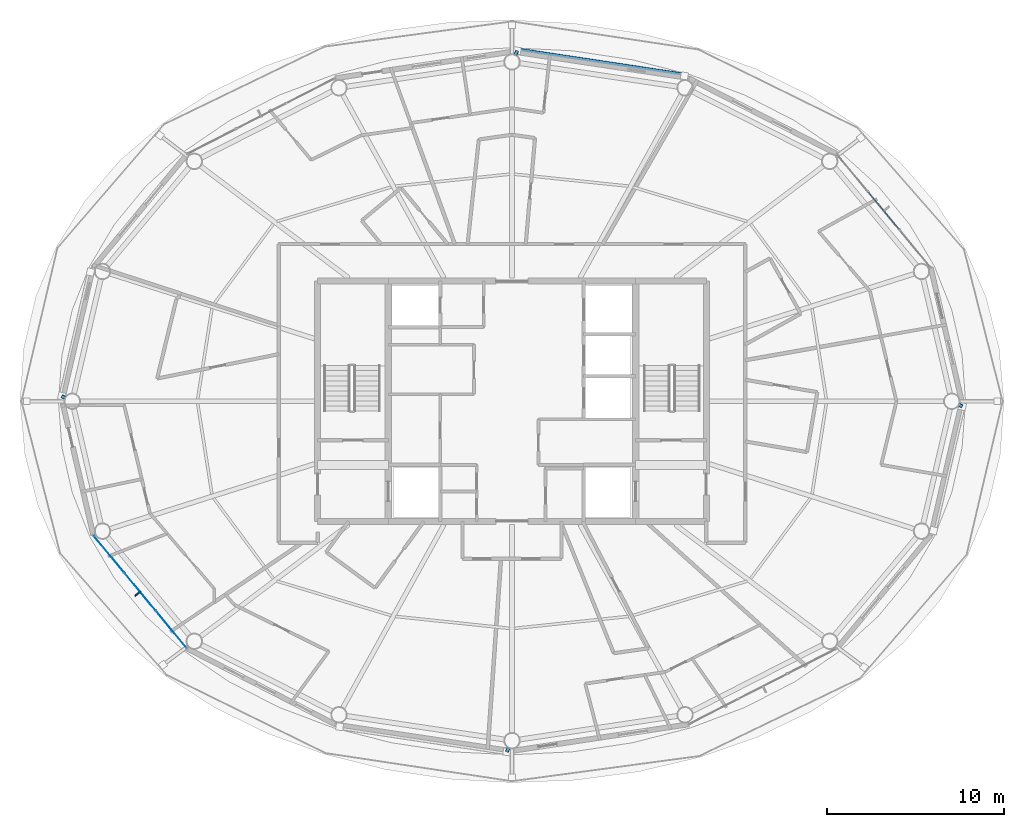
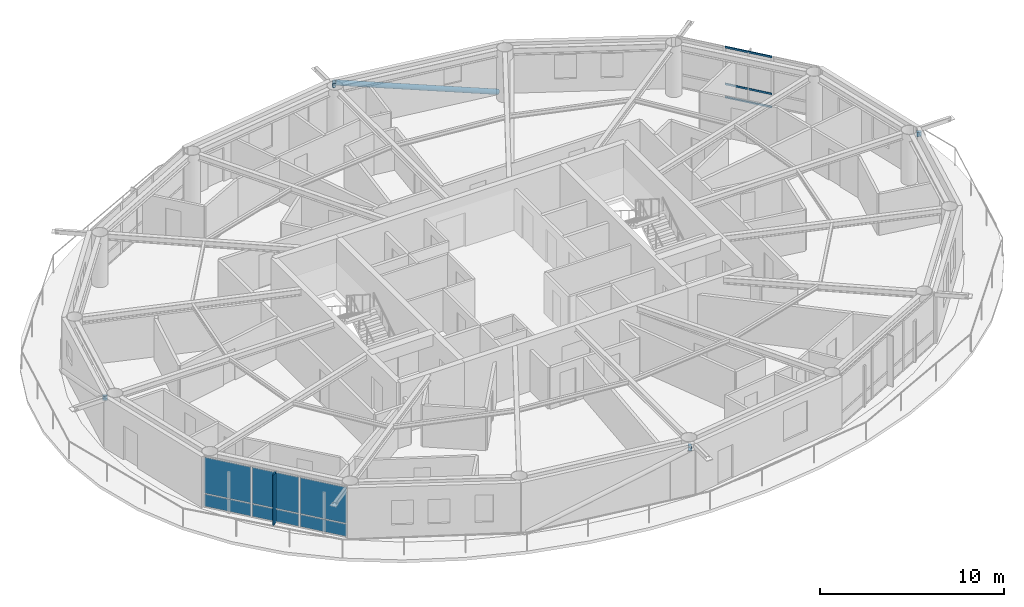
# One storey, part 12 of 22: 8 members, 7 plates, 2 elements without a shape of their own.
"""IFC4 building model written with IfcOpenShell, lengths in metres."""

from ifc_helpers import new_model, si_unit, direction, frame, origin, origin_2d, place, context, subcontext, project, spatial, rectangle, hollow_rectangle, hollow_circle, extrude, material, layer, layer_set, material_profile, profile_set, type_object, element, aggregate, save


model = new_model("IFC4")

# Units and contexts
model_context = context("Model", 3, precision=1e-05, world=origin(), true_north=direction((0.0, 1.0)))
body_context = subcontext(model_context, "Body", "Model", "MODEL_VIEW")
ifc_project = project(units=[si_unit("LENGTHUNIT", "METRE"), si_unit("AREAUNIT", "SQUARE_METRE"), si_unit("VOLUMEUNIT", "CUBIC_METRE"), si_unit("PLANEANGLEUNIT", "RADIAN"), si_unit("MASSUNIT", "GRAM", prefix="KILO")], contexts=[model_context])

# Site, building, storey
site_placement = place(None, origin())
site = spatial("IfcSite", under=ifc_project, at=site_placement, CompositionType="ELEMENT")
building_placement = place(site_placement, origin())
building = spatial("IfcBuilding", under=site, at=building_placement, Name="Sarneth Arch Tower", CompositionType="ELEMENT")
storey_placement = place(building_placement, frame((0.0, 0.0, 294.60009765625)))
storey = spatial("IfcBuildingStorey", under=building, at=storey_placement, Name="L76", CompositionType="ELEMENT", Elevation=294.60009765625)

# Curtain wall, members
ifc_material_1 = material(Name="Anodised aluminium Type AA25 and solar-control low-e laminated IGU", Category="aluminium")
ifc_layer_1 = layer(ifc_material_1, 0.179931640625)
ifc_layer_set_1 = layer_set([ifc_layer_1], Name="Anodised aluminium Type AA25 and solar-control low-e laminated IGU")
curtain_wall_type = type_object("IfcCurtainWallType", Name="CW-RES-HIGH", PredefinedType="NOTDEFINED", material=ifc_layer_set_1)
curtain_wall_1_placement = place(storey_placement, origin())
curtain_wall_1 = element("IfcCurtainWall", 1, at=curtain_wall_1_placement, inside=storey, type_object=curtain_wall_type, Name="L76 Unitised curtain wall facet 02", PredefinedType="NOTDEFINED")
ifc_material_2 = material(Name="Anodised Aluminium 6063-T6", Category="aluminium")
ifc_material_profile_1 = material_profile(ifc_material_2, hollow_rectangle(XDim=0.06005859375, YDim=0.1201171875, WallThickness=0.00390625, at=origin_2d()), Name="AL-TRAN-120x60x4")
ifc_profile_set_1 = profile_set([ifc_material_profile_1], Name="Anodised Aluminium 6063-T6")
member_type_1 = type_object("IfcMemberType", Name="CW-TRANSOM", PredefinedType="USERDEFINED", material=ifc_profile_set_1)
member_1_placement = place(storey_placement, frame((69.904296875, 51.731689453125, 0.02978515625), z_axis=(-0.637617371902, 0.770353222261, 0.0), x_axis=(-0.770353222261, -0.637617371902, 0.0)))
member_1 = element("IfcMember", 2, at=member_1_placement, type_object=member_type_1, Name="CW-SYS-6 transom 2.1", ObjectType="TRANSOM", PredefinedType="USERDEFINED", context=body_context, shape_type="SweptSolid", body=[
    extrude(hollow_rectangle(XDim=0.06005859375, YDim=0.1201171875, WallThickness=0.00390625, at=origin_2d()), origin(), (0.0, 0.0, 1.0), 2.716552734375),
])
member_2_placement = place(storey_placement, frame((69.904296875, 51.731689453125, 0.89990234375), z_axis=(-0.637617371902, 0.770353222261, 0.0), x_axis=(-0.770353222261, -0.637617371902, 0.0)))
member_2 = element("IfcMember", 3, at=member_2_placement, type_object=member_type_1, Name="CW-SYS-6 transom 2.2", ObjectType="TRANSOM", PredefinedType="USERDEFINED", context=body_context, shape_type="SweptSolid", body=[
    extrude(hollow_rectangle(XDim=0.06005859375, YDim=0.1201171875, WallThickness=0.00390625, at=origin_2d()), origin(), (0.0, 0.0, 1.0), 2.716552734375),
])
member_3_placement = place(storey_placement, frame((69.904296875, 51.731689453125, 3.33984375), z_axis=(-0.637617371902, 0.770353222261, 0.0), x_axis=(-0.770353222261, -0.637617371902, 0.0)))
member_3 = element("IfcMember", 4, at=member_3_placement, type_object=member_type_1, Name="CW-SYS-6 transom 2.3", ObjectType="TRANSOM", PredefinedType="USERDEFINED", context=body_context, shape_type="SweptSolid", body=[
    extrude(hollow_rectangle(XDim=0.06005859375, YDim=0.1201171875, WallThickness=0.00390625, at=origin_2d()), origin(), (0.0, 0.0, 1.0), 2.716552734375),
])
aggregate(curtain_wall_1, [member_1, member_2, member_3])

# Members
ifc_material_3 = material(Name="Steel S355", Category="steel")
ifc_material_profile_2 = material_profile(ifc_material_3, hollow_rectangle(XDim=0.199951171875, YDim=0.300048828125, WallThickness=0.012451171875, InnerFilletRadius=0.018798828125, OuterFilletRadius=0.03125, at=origin_2d()), Name="RHS300x200x12.5")
ifc_profile_set_2 = profile_set([ifc_material_profile_2], Name="Steel S355")
member_type_2 = type_object("IfcMemberType", Name="MEM-CANT-STRUT", PredefinedType="STRUT", material=ifc_profile_set_2)
member_4_placement = place(storey_placement, frame((48.17138671875, 61.56689453125, 3.092041015625), z_axis=(0.422659932572, 0.906288354443, 0.0), x_axis=(-0.906288354443, 0.422659932572, 0.0)))
element("IfcMember", 5, at=member_4_placement, inside=storey, type_object=member_type_2, Name="L76 Exoskeleton brace node strut 04B", PredefinedType="STRUT", context=body_context, shape_type="SweptSolid", body=[
    extrude(hollow_rectangle(XDim=0.199951171875, YDim=0.300048828125, WallThickness=0.012451171875, InnerFilletRadius=0.018798828125, OuterFilletRadius=0.03125, at=origin_2d()), origin(), (0.0, 0.0, 1.0), 0.29638671875),
])
member_5_placement = place(storey_placement, frame((22.75341796875, 42.178955078125, 3.092041015625), z_axis=(-0.897077765426, 0.441872699743, 0.0), x_axis=(-0.441872699743, -0.897077765426, 0.0)))
element("IfcMember", 6, at=member_5_placement, inside=storey, type_object=member_type_2, Name="L76 Exoskeleton brace node strut 08B", PredefinedType="STRUT", context=body_context, shape_type="SweptSolid", body=[
    extrude(hollow_rectangle(XDim=0.199951171875, YDim=0.300048828125, WallThickness=0.012451171875, InnerFilletRadius=0.018798828125, OuterFilletRadius=0.03125, at=origin_2d()), origin(), (0.0, 0.0, 1.0), 0.25634765625),
])
member_6_placement = place(storey_placement, frame((47.82861328125, 22.43310546875, 3.092041015625), z_axis=(-0.422659932572, -0.906288354443, 0.0), x_axis=(0.906288354443, -0.422659932572, 0.0)))
element("IfcMember", 7, at=member_6_placement, inside=storey, type_object=member_type_2, Name="L76 Exoskeleton brace node strut 12B", PredefinedType="STRUT", context=body_context, shape_type="SweptSolid", body=[
    extrude(hollow_rectangle(XDim=0.199951171875, YDim=0.300048828125, WallThickness=0.012451171875, InnerFilletRadius=0.018798828125, OuterFilletRadius=0.03125, at=origin_2d()), origin(), (0.0, 0.0, 1.0), 0.29638671875),
])
member_7_placement = place(storey_placement, frame((73.24658203125, 41.821044921875, 3.092041015625), z_axis=(0.897077765426, -0.441872699743, 0.0), x_axis=(0.441872699743, 0.897077765426, 0.0)))
element("IfcMember", 8, at=member_7_placement, inside=storey, type_object=member_type_2, Name="L76 Exoskeleton brace node strut 16B", PredefinedType="STRUT", context=body_context, shape_type="SweptSolid", body=[
    extrude(hollow_rectangle(XDim=0.199951171875, YDim=0.300048828125, WallThickness=0.012451171875, InnerFilletRadius=0.018798828125, OuterFilletRadius=0.03125, at=origin_2d()), origin(), (0.0, 0.0, 1.0), 0.25634765625),
])
ifc_material_4 = material(Name="Steel S355", Category="steel")
ifc_material_profile_3 = material_profile(ifc_material_4, hollow_circle(Radius=0.162109375, WallThickness=0.012451171875, at=origin_2d()), Name="CHS324x12.5")
ifc_profile_set_3 = profile_set([ifc_material_profile_3], Name="Steel S355")
member_type_3 = type_object("IfcMemberType", Name="MEM-DIAG-BR3", PredefinedType="BRACE", material=ifc_profile_set_3)
member_8_placement = place(storey_placement, frame((57.754150390625, 60.411376953125, 0.02001953125), z_axis=(-0.941478053537, 0.141763681302, 0.305813886821), x_axis=(-0.148897148305, -0.988852688335, 0.0)))
element("IfcMember", 9, at=member_8_placement, inside=storey, type_object=member_type_3, Name="L76 Perimeter frame diagonal 04", PredefinedType="BRACE", context=body_context, shape_type="SweptSolid", body=[
    extrude(hollow_circle(Radius=0.162109375, WallThickness=0.012451171875, at=origin_2d()), origin(), (0.0, 0.0, 1.0), 10.04541015625),
])

# Curtain wall, plates
curtain_wall_2_placement = place(storey_placement, origin())
curtain_wall_2 = element("IfcCurtainWall", 10, at=curtain_wall_2_placement, inside=storey, type_object=curtain_wall_type, Name="L76 Unitised curtain wall facet 10", PredefinedType="NOTDEFINED")
ifc_material_5 = material(Name="Solar-control low-e laminated IGU", Category="glass")
ifc_layer_2 = layer(ifc_material_5, 0.028076171875)
ifc_layer_set_2 = layer_set([ifc_layer_2], Name="Solar-control low-e laminated IGU")
plate_type_1 = type_object("IfcPlateType", Name="CW-PANEL", PredefinedType="CURTAIN_PANEL", material=ifc_layer_set_2)
plate_1_placement = place(storey_placement, frame((25.200927734375, 33.349365234375, 0.059814453125), z_axis=(0.0, 0.0, 1.0), x_axis=(0.637610094184, -0.770359245933, 0.0)))
plate_1 = element("IfcPlate", 11, at=plate_1_placement, type_object=plate_type_1, Name="Curtain wall glazed vision pane CW-L76-F10/P00-00", PredefinedType="CURTAIN_PANEL", context=body_context, shape_type="SweptSolid", body=[
    extrude(rectangle(XDim=2.686767578125, YDim=0.028076171875, at=origin_2d()), origin(), (0.0, 0.0, 1.0), 0.81005859375),
])
plate_2_placement = place(storey_placement, frame((25.200927734375, 33.349365234375, 0.929931640625), z_axis=(0.0, 0.0, 1.0), x_axis=(0.637610094184, -0.770359245933, 0.0)))
plate_2 = element("IfcPlate", 12, at=plate_2_placement, type_object=plate_type_1, Name="Curtain wall glazed vision pane CW-L76-F10/P00-01", PredefinedType="CURTAIN_PANEL", context=body_context, shape_type="SweptSolid", body=[
    extrude(rectangle(XDim=2.686767578125, YDim=0.028076171875, at=origin_2d()), origin(), (0.0, 0.0, 1.0), 2.3798828125),
])
plate_3_placement = place(storey_placement, frame((26.9619140625, 31.221923828125, 0.059814453125), z_axis=(0.0, 0.0, 1.0), x_axis=(0.637610094184, -0.770359245933, 0.0)))
plate_3 = element("IfcPlate", 13, at=plate_3_placement, type_object=plate_type_1, Name="Curtain wall glazed vision pane CW-L76-F10/P01-00", PredefinedType="CURTAIN_PANEL", context=body_context, shape_type="SweptSolid", body=[
    extrude(rectangle(XDim=2.716552734375, YDim=0.028076171875, at=origin_2d()), origin(), (0.0, 0.0, 1.0), 0.81005859375),
])
plate_4_placement = place(storey_placement, frame((26.9619140625, 31.221923828125, 0.929931640625), z_axis=(0.0, 0.0, 1.0), x_axis=(0.637610094184, -0.770359245933, 0.0)))
plate_4 = element("IfcPlate", 14, at=plate_4_placement, type_object=plate_type_1, Name="Curtain wall glazed vision pane CW-L76-F10/P01-01", PredefinedType="CURTAIN_PANEL", context=body_context, shape_type="SweptSolid", body=[
    extrude(rectangle(XDim=2.716552734375, YDim=0.028076171875, at=origin_2d()), origin(), (0.0, 0.0, 1.0), 2.3798828125),
])
plate_5_placement = place(storey_placement, frame((28.72265625, 29.094482421875, 0.059814453125), z_axis=(0.0, 0.0, 1.0), x_axis=(0.637610094184, -0.770359245933, 0.0)))
plate_5 = element("IfcPlate", 15, at=plate_5_placement, type_object=plate_type_1, Name="Curtain wall glazed vision pane CW-L76-F10/P02-00", PredefinedType="CURTAIN_PANEL", context=body_context, shape_type="SweptSolid", body=[
    extrude(rectangle(XDim=2.686767578125, YDim=0.028076171875, at=origin_2d()), origin(), (0.0, 0.0, 1.0), 0.81005859375),
])
plate_6_placement = place(storey_placement, frame((28.72265625, 29.094482421875, 0.929931640625), z_axis=(0.0, 0.0, 1.0), x_axis=(0.637610094184, -0.770359245933, 0.0)))
plate_6 = element("IfcPlate", 16, at=plate_6_placement, type_object=plate_type_1, Name="Curtain wall glazed vision pane CW-L76-F10/P02-01", PredefinedType="CURTAIN_PANEL", context=body_context, shape_type="SweptSolid", body=[
    extrude(rectangle(XDim=2.686767578125, YDim=0.028076171875, at=origin_2d()), origin(), (0.0, 0.0, 1.0), 2.3798828125),
])
aggregate(curtain_wall_2, [plate_1, plate_2, plate_3, plate_4, plate_5, plate_6])

# Plate
ifc_material_6 = material(Name="Extruded glazed terracotta baguette fin on Aluminium 6063-T6 carrier", Category="masonry")
ifc_layer_3 = layer(ifc_material_6, 0.080078125)
ifc_layer_set_3 = layer_set([ifc_layer_3], Name="Extruded glazed terracotta baguette fin on Aluminium 6063-T6 carrier")
plate_type_2 = type_object("IfcPlateType", Name="SHADE-TERRA-FIN", PredefinedType="SHEET", material=ifc_layer_set_3)
plate_7_placement = place(storey_placement, frame((26.830810546875, 31.113525390625, 0.009765625), z_axis=(0.0, 0.0, 1.0), x_axis=(-0.770401979567, -0.63755845997, 0.0)))
element("IfcPlate", 17, at=plate_7_placement, inside=storey, type_object=plate_type_2, Name="L76 Terracotta vertical shading fin 10", PredefinedType="SHEET", context=body_context, shape_type="SweptSolid", body=[
    extrude(rectangle(XDim=0.419921875, YDim=0.080078125, at=origin_2d()), origin(), (0.0, 0.0, 1.0), 3.35009765625),
])

save(model, "model.ifc")
